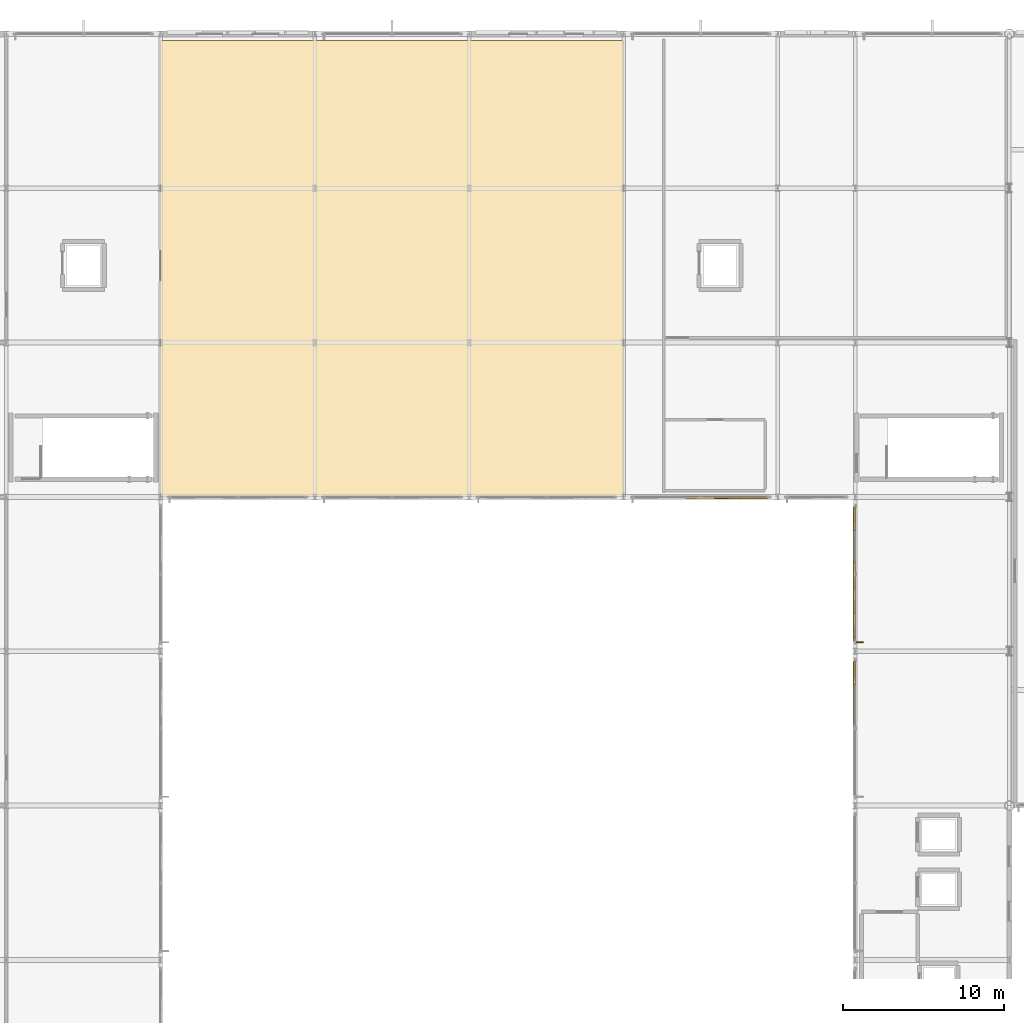
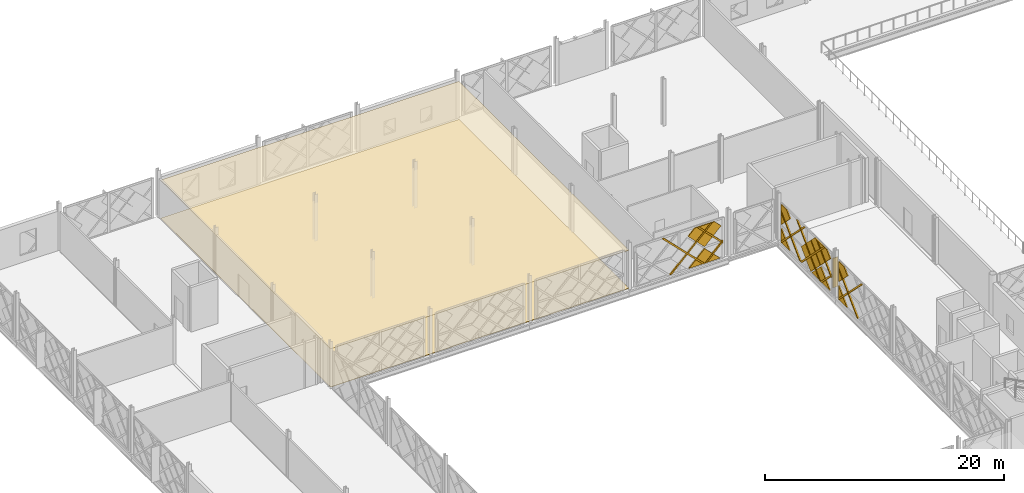
# One storey, part 67 of 77: 23 coverings, 1 shading device.
"""IFC4 building model written with IfcOpenShell, lengths in metres."""

from ifc_helpers import new_model, si_unit, direction, frame, origin, origin_2d, place, context, subcontext, project, spatial, polyline, rectangle, outline, extrude, material, layer, layer_set, type_object, element, save


model = new_model("IFC4")

# Units and contexts
model_context = context("Model", 3, precision=1e-05, world=origin(), true_north=direction((0.0, 1.0)))
body_context = subcontext(model_context, "Body", "Model", "MODEL_VIEW")
ifc_project = project(units=[si_unit("LENGTHUNIT", "METRE"), si_unit("AREAUNIT", "SQUARE_METRE"), si_unit("VOLUMEUNIT", "CUBIC_METRE"), si_unit("PLANEANGLEUNIT", "RADIAN"), si_unit("MASSUNIT", "GRAM", prefix="KILO")], contexts=[model_context])

# Site, building, storey
site_placement = place(None, origin())
site = spatial("IfcSite", under=ifc_project, at=site_placement, CompositionType="ELEMENT")
building_placement = place(site_placement, origin())
building = spatial("IfcBuilding", under=site, at=building_placement, Name="Zevrakil Square Congress Hotel", CompositionType="ELEMENT")
storey_placement = place(building_placement, frame((0.0, 0.0, 9.89990234375)))
storey = spatial("IfcBuildingStorey", under=building, at=storey_placement, Name="L03", CompositionType="ELEMENT", Elevation=9.89990234375)

# Coverings
ifc_material_1 = material(Name="Acoustic Perforated Timber Ceiling", Category="wood")
ifc_layer_1 = layer(ifc_material_1, 0.02490234375)
ifc_layer_set_1 = layer_set([ifc_layer_1], Name="Acoustic Perforated Timber Ceiling")
covering_type_1 = type_object("IfcCoveringType", Name="COV-CEIL-ACOUSTIC-025", PredefinedType="CEILING", material=ifc_layer_set_1)
covering_1_placement = place(storey_placement, frame((0.0, 0.0, 3.89013671875)))
element("IfcCovering", 1, at=covering_1_placement, inside=storey, type_object=covering_type_1, Name="L03 acoustic perforated timber ceiling 7", PredefinedType="CEILING", context=body_context, shape_type="SweptSolid", body=[
    extrude(outline(polyline([(64.800048828125, 84.0), (93.60009765625, 84.0), (93.60009765625, 112.39990234375), (64.800048828125, 112.39990234375), (64.800048828125, 84.0)])), origin(), (0.0, 0.0, 1.0), 0.02490234375),
])
ifc_material_2 = material(Name="Architectural White Fibre-C GRC", Category="concrete")
ifc_layer_2 = layer(ifc_material_2, 0.06494140625)
ifc_layer_set_2 = layer_set([ifc_layer_2], Name="Architectural White Fibre-C GRC")
covering_type_2 = type_object("IfcCoveringType", Name="COV-DIA-WHITE", PredefinedType="CLADDING", material=ifc_layer_set_2)
covering_2_placement = place(storey_placement, frame((100.840087890625, 83.906005859375, 1.590087890625), z_axis=(0.0, -0.999999790873, 0.000646725815), x_axis=(0.707106707249, -0.000457304257, -0.707106707249)))
element("IfcCovering", 2, at=covering_2_placement, inside=storey, type_object=covering_type_2, Name="L03 45-degree white GRC diamond facade cassette 1671", PredefinedType="CLADDING", context=body_context, shape_type="SweptSolid", body=[
    extrude(outline(polyline([(0.0, 0.0), (2.1354765131557993, 0.0), (4.465861884739297e-07, -2.1354765131557527), (0.0, 0.0)])), origin(), (0.0, 0.0, -1.0), 0.1201171875),
])
covering_3_placement = place(storey_placement, frame((102.429931640625, 83.906982421875, 3.360107421875), z_axis=(0.0, -0.999999775378, 0.000670257195), x_axis=(-0.707052424547, -0.000473979838, -0.707160974803)))
element("IfcCovering", 3, at=covering_3_placement, inside=storey, type_object=covering_type_2, Name="L03 45-degree white GRC diamond facade cassette 1674", PredefinedType="CLADDING", context=body_context, shape_type="SweptSolid", body=[
    extrude(outline(polyline([(0.0, 0.0), (2.2485514437172673, 0.0), (2.2483783763991094, -2.2487240639057764), (1.3361828810269825, -2.2486540733710796), (-7.024847056097405e-05, -0.9121954953522995), (0.0, 0.0)])), origin(), (0.0, 0.0, -1.0), 0.1201171875),
])
covering_4_placement = place(storey_placement, frame((107.905029296875, 72.3701171875, 0.080078125), z_axis=(-0.999999760125, 0.0, 0.000692640526), x_axis=(0.0, 1.0, 0.0)))
element("IfcCovering", 4, at=covering_4_placement, inside=storey, type_object=covering_type_2, Name="L03 45-degree white GRC diamond facade cassette 1894", PredefinedType="CLADDING", context=body_context, shape_type="SweptSolid", body=[
    extrude(outline(polyline([(0.0, 0.0), (1.409912109375, 0.0), (1.409912109375, -1.4099124475784228), (0.0, 0.0)])), origin(), (0.0, 0.0, -1.0), 0.1201171875),
])
covering_5_placement = place(storey_placement, frame((107.906982421875, 72.2900390625, 3.360107421875), z_axis=(-0.999999736408, 4.315951e-05, 0.00072479006), x_axis=(-0.00048198565, 0.70710670617, -0.707106691935)))
element("IfcCovering", 5, at=covering_5_placement, inside=storey, type_object=covering_type_2, Name="L03 45-degree white GRC diamond facade cassette 1897", PredefinedType="CLADDING", context=body_context, shape_type="SweptSolid", body=[
    extrude(outline(polyline([(0.0, 0.0), (2.107164623187832, 0.0), (0.6399520580835327, -1.4672122541428614), (-2.2701733171093252e-07, -0.8272598344501885), (0.0, 0.0)])), origin(), (0.0, 0.0, -1.0), 0.1201171875),
])
covering_6_placement = place(storey_placement, frame((107.905029296875, 81.969970703125, 0.080078125), z_axis=(-0.999999760125, 0.0, 0.000692640526), x_axis=(0.0, 1.0, 0.0)))
element("IfcCovering", 6, at=covering_6_placement, inside=storey, type_object=covering_type_2, Name="L03 45-degree white GRC diamond facade cassette 1962", PredefinedType="CLADDING", context=body_context, shape_type="SweptSolid", body=[
    extrude(outline(polyline([(0.0, 0.0), (1.409912109375, 0.0), (1.409912109375, -1.4099124475784228), (0.0, 0.0)])), origin(), (0.0, 0.0, -1.0), 0.1201171875),
])
covering_7_placement = place(storey_placement, frame((107.906005859375, 76.760009765625, 1.590087890625), z_axis=(-0.999999790873, 0.0, 0.000646725815), x_axis=(-0.000457304257, -0.707106707249, -0.707106707249)))
element("IfcCovering", 7, at=covering_7_placement, inside=storey, type_object=covering_type_2, Name="L03 45-degree white GRC diamond facade cassette 1963", PredefinedType="CLADDING", context=body_context, shape_type="SweptSolid", body=[
    extrude(outline(polyline([(0.0, 0.0), (2.1354765131557993, 0.0), (4.465861884739297e-07, -2.1354765131557527), (0.0, 0.0)])), origin(), (0.0, 0.0, -1.0), 0.1201171875),
])
covering_8_placement = place(storey_placement, frame((107.906982421875, 78.43994140625, 3.27001953125), z_axis=(-0.999999811377, 0.0, 0.000614203339), x_axis=(-0.000434307387, -0.707106714488, -0.707106714509)))
element("IfcCovering", 8, at=covering_8_placement, inside=storey, type_object=covering_type_2, Name="L03 45-degree white GRC diamond facade cassette 1964", PredefinedType="CLADDING", context=body_context, shape_type="SweptSolid", body=[
    extrude(outline(polyline([(0.0, 0.0), (2.2483788053845455, -2.220446049250313e-16), (2.2485518630206376, -2.24855143882716), (-0.00017220931434658304, -2.2485514388922905), (0.0, 0.0)])), origin(), (0.0, 0.0, -1.0), 0.1201171875),
])
covering_9_placement = place(storey_placement, frame((107.906982421875, 81.889892578125, 3.360107421875), z_axis=(-0.999999736411, 4.3161212e-05, 0.000724785724), x_axis=(-0.00048198138, 0.70710670617, -0.707106691938)))
element("IfcCovering", 9, at=covering_9_placement, inside=storey, type_object=covering_type_2, Name="L03 45-degree white GRC diamond facade cassette 1965", PredefinedType="CLADDING", context=body_context, shape_type="SweptSolid", body=[
    extrude(outline(polyline([(0.0, 0.0), (2.107164623187999, -4.440892098500626e-16), (0.6399520580834819, -1.4672122541428836), (0.00017240645599247983, -0.8274324679596092), (0.0, 0.0)])), origin(), (0.0, 0.0, -1.0), 0.1201171875),
])
covering_10_placement = place(storey_placement, frame((107.906982421875, 75.169921875, 3.360107421875), z_axis=(-0.999999757163, 0.0, 0.000696903298), x_axis=(-0.000492785094, 0.707106715719, -0.707106674942)))
element("IfcCovering", 10, at=covering_10_placement, inside=storey, type_object=covering_type_2, Name="L03 45-degree white GRC diamond facade cassette 1966", PredefinedType="CLADDING", context=body_context, shape_type="SweptSolid", body=[
    extrude(outline(polyline([(0.0, 0.0), (2.248724068485682, 0.0), (2.24872365208854, -2.2487240684856435), (1.4212911871690197, -2.248551498559155), (-2.1676503153544857e-07, -0.8272598314439772), (0.0, 0.0)])), origin(), (0.0, 0.0, -1.0), 0.1201171875),
])
ifc_material_3 = material(Name="Anodised Champagne Aluminium", Category="aluminium")
ifc_layer_3 = layer(ifc_material_3, 0.0849609375)
ifc_layer_set_3 = layer_set([ifc_layer_3], Name="Anodised Champagne Aluminium")
covering_type_3 = type_object("IfcCoveringType", Name="COV-DIAGRID-45", PredefinedType="MOLDING", material=ifc_layer_set_3)
covering_11_placement = place(storey_placement, frame((97.666015625, 83.8798828125, 0.080078125), z_axis=(0.0, -0.999999806554, 0.000622006473), x_axis=(-1.0, 0.0, 0.0)))
element("IfcCovering", 11, at=covering_11_placement, inside=storey, type_object=covering_type_3, Name="L03 45-degree aluminium diagrid rib 1676", PredefinedType="MOLDING", context=body_context, shape_type="SweptSolid", body=[
    extrude(outline(polyline([(0.0, 0.0), (0.212158203125, 0.0), (-3.712890625, -3.9250495874103186), (-3.925048828125, -3.9250495874103186), (0.0, 0.0)])), origin(), (0.0, 0.0, -1.0), 0.14501953125),
])
covering_12_placement = place(storey_placement, frame((101.026123046875, 83.8798828125, 0.080078125), z_axis=(0.000367674044, -0.999999864816, 0.000367674044), x_axis=(-0.999999932408, -0.000367674019, 1.35184e-07)))
element("IfcCovering", 12, at=covering_12_placement, inside=storey, type_object=covering_type_3, Name="L03 45-degree aluminium diagrid rib 1677", PredefinedType="MOLDING", context=body_context, shape_type="SweptSolid", body=[
    extrude(outline(polyline([(0.0, 0.0), (0.21215818878478077, 0.0), (-1.5539551831600997, -1.766113610695557), (-1.553955211840539, -1.553955421910778), (0.0, 0.0)])), origin(), (0.0, 0.0, -1.0), 0.14501953125),
])
covering_13_placement = place(storey_placement, frame((96.72900390625, 83.88232421875, 4.005126953125), z_axis=(0.0, -0.999999806554, 0.000622006473), x_axis=(1.0, 0.0, 0.0)))
element("IfcCovering", 13, at=covering_13_placement, inside=storey, type_object=covering_type_3, Name="L03 45-degree aluminium diagrid rib 1679", PredefinedType="MOLDING", context=body_context, shape_type="SweptSolid", body=[
    extrude(outline(polyline([(0.0, 0.0), (0.212158203125, 0.0), (4.13720703125, -3.9250495874103186), (3.9248046875, -3.9250495874103186), (0.0, 0.0)])), origin(), (0.0, 0.0, -1.0), 0.14501953125),
])
covering_14_placement = place(storey_placement, frame((100.0888671875, 83.88232421875, 4.005126953125), z_axis=(0.000293370907, -0.999999590264, 0.000856391117), x_axis=(0.999999956967, 0.0002933708, -2.5124e-07)))
element("IfcCovering", 14, at=covering_14_placement, inside=storey, type_object=covering_type_3, Name="L03 45-degree aluminium diagrid rib 1680", PredefinedType="MOLDING", context=body_context, shape_type="SweptSolid", body=[
    extrude(outline(polyline([(0.0, 0.0), (0.21215819399514393, 0.0), (2.4912110447048965, -2.278808803503474), (2.4912110264451837, -2.4912112784447755), (0.0, 0.0)])), origin(), (0.0, 0.0, -1.0), 0.14501953125),
])
covering_15_placement = place(storey_placement, frame((107.8798828125, 73.69384765625, 0.080078125), z_axis=(-0.999999413531, 0.000391037742, 0.001009963815), x_axis=(0.000391037543, 0.999999923545, -3.94934e-07)))
element("IfcCovering", 15, at=covering_15_placement, inside=storey, type_object=covering_type_3, Name="L03 45-degree aluminium diagrid rib 1899", PredefinedType="MOLDING", context=body_context, shape_type="SweptSolid", body=[
    extrude(outline(polyline([(0.0, 0.0), (0.08618163403596019, 4.562418066112793e-24), (0.08618167965526309, -0.12622088532393289), (-3.6528323237063276, -3.8649907289093357), (-3.8649905106107165, -3.8649907289093357), (0.0, 0.0)])), origin(), (0.0, 0.0, -1.0), 0.14501953125),
])
covering_16_placement = place(storey_placement, frame((107.8818359375, 73.780029296875, 3.154052734375), z_axis=(-0.999999562484, -0.000249090824, 0.000901656659), x_axis=(0.000901656702, -6.2046e-08, 0.999999593508)))
element("IfcCovering", 16, at=covering_16_placement, inside=storey, type_object=covering_type_3, Name="L03 45-degree aluminium diagrid rib 1902", PredefinedType="MOLDING", context=body_context, shape_type="SweptSolid", body=[
    extrude(outline(polyline([(0.0, 0.0), (0.21215833701531478, 1.3234889800848443e-23), (-3.073974916983605, -3.2861331051745672), (-3.073974930147215, -3.073974908631377), (0.0, 0.0)])), origin(), (0.0, 0.0, -1.0), 0.14501953125),
])
covering_17_placement = place(storey_placement, frame((107.8798828125, 83.2939453125, 0.080078125), z_axis=(-0.999999413235, 0.000391272362, 0.001010166072), x_axis=(0.000391272162, 0.999999923453, -3.9525e-07)))
element("IfcCovering", 17, at=covering_17_placement, inside=storey, type_object=covering_type_3, Name="L03 45-degree aluminium diagrid rib 1967", PredefinedType="MOLDING", context=body_context, shape_type="SweptSolid", body=[
    extrude(outline(polyline([(0.0, 0.0), (0.0859374934217393, 4.549493369041652e-24), (0.08593753905842463, -0.12622088534752607), (-3.6528323240199994, -3.864990728613538), (-3.8649905109049185, -3.864990728613538), (0.0, 0.0)])), origin(), (0.0, 0.0, -1.0), 0.14501953125),
])
covering_18_placement = place(storey_placement, frame((107.8798828125, 79.933837890625, 0.080078125), z_axis=(-0.999999800495, 0.0, 0.00063167191), x_axis=(0.0, 1.0, 0.0)))
element("IfcCovering", 18, at=covering_18_placement, inside=storey, type_object=covering_type_3, Name="L03 45-degree aluminium diagrid rib 1968", PredefinedType="MOLDING", context=body_context, shape_type="SweptSolid", body=[
    extrude(outline(polyline([(0.0, 0.0), (0.212158203125, 0.0), (-3.65283203125, -3.8649910054589514), (-3.864990234375, -3.8649910054589514), (0.0, 0.0)])), origin(), (0.0, 0.0, -1.0), 0.14501953125),
])
covering_19_placement = place(storey_placement, frame((107.8798828125, 76.573974609375, 0.080078125), z_axis=(-0.999999864816, -0.000367674044, 0.000367674044), x_axis=(-0.000367674019, 0.999999932408, 1.35184e-07)))
element("IfcCovering", 19, at=covering_19_placement, inside=storey, type_object=covering_type_3, Name="L03 45-degree aluminium diagrid rib 1969", PredefinedType="MOLDING", context=body_context, shape_type="SweptSolid", body=[
    extrude(outline(polyline([(0.0, 0.0), (0.21215818878478077, 0.0), (-1.5539551831600997, -1.766113610695557), (-1.553955211840539, -1.553955421910778), (0.0, 0.0)])), origin(), (0.0, 0.0, -1.0), 0.14501953125),
])
covering_20_placement = place(storey_placement, frame((107.8818359375, 83.3798828125, 3.154052734375), z_axis=(-0.999999562491, -0.000249100386, 0.000901647097), x_axis=(0.00090164714, -6.2051e-08, 0.999999593516)))
element("IfcCovering", 20, at=covering_20_placement, inside=storey, type_object=covering_type_3, Name="L03 45-degree aluminium diagrid rib 1970", PredefinedType="MOLDING", context=body_context, shape_type="SweptSolid", body=[
    extrude(outline(polyline([(0.0, 0.0), (0.21215833701480946, 1.3234889800848443e-23), (-3.0739749169909265, -3.285888964564464), (-3.0739749301555475, -3.0737307680217794), (0.0, 0.0)])), origin(), (0.0, 0.0, -1.0), 0.14501953125),
])
covering_21_placement = place(storey_placement, frame((107.88232421875, 80.81103515625, 3.945068359375), z_axis=(-0.999999800495, 0.0, 0.00063167191), x_axis=(0.0, -1.0, 0.0)))
element("IfcCovering", 21, at=covering_21_placement, inside=storey, type_object=covering_type_3, Name="L03 45-degree aluminium diagrid rib 1971", PredefinedType="MOLDING", context=body_context, shape_type="SweptSolid", body=[
    extrude(outline(polyline([(0.0, 0.0), (0.212158203125, 0.0), (4.0771484375, -3.8649910054589514), (3.864990234375, -3.8649910054589514), (0.0, 0.0)])), origin(), (0.0, 0.0, -1.0), 0.14501953125),
])
covering_22_placement = place(storey_placement, frame((107.88232421875, 77.451171875, 3.945068359375), z_axis=(-0.999999586122, -0.000286094891, 0.000863658765), x_axis=(0.000286094785, -0.999999959075, -2.47088e-07)))
element("IfcCovering", 22, at=covering_22_placement, inside=storey, type_object=covering_type_3, Name="L03 45-degree aluminium diagrid rib 1972", PredefinedType="MOLDING", context=body_context, shape_type="SweptSolid", body=[
    extrude(outline(polyline([(0.0, 0.0), (0.21215819444239495, 0.0), (2.4311524432452645, -2.218750226780793), (2.431152425880054, -2.4311527021688306), (0.0, 0.0)])), origin(), (0.0, 0.0, -1.0), 0.14501953125),
])
ifc_material_4 = material(Name="Honed Addis Basalt Stone Flooring", Category="masonry")
ifc_layer_4 = layer(ifc_material_4, 0.030029296875)
ifc_layer_set_4 = layer_set([ifc_layer_4], Name="Honed Addis Basalt Stone Flooring")
covering_type_4 = type_object("IfcCoveringType", Name="COV-FLOR-BASALT-030", PredefinedType="FLOORING", material=ifc_layer_set_4)
covering_23_placement = place(storey_placement, origin())
element("IfcCovering", 23, at=covering_23_placement, inside=storey, type_object=covering_type_4, Name="L03 honed basalt stone flooring 7", PredefinedType="FLOORING", context=body_context, shape_type="SweptSolid", body=[
    extrude(outline(polyline([(64.800048828125, 84.0), (93.60009765625, 84.0), (93.60009765625, 112.39990234375), (64.800048828125, 112.39990234375), (64.800048828125, 84.0)])), origin(), (0.0, 0.0, 1.0), 0.030029296875),
])

# Shading device
ifc_material_5 = material(Name="Aluminium Anodised Bronze", Category="aluminium")
shading_device_type = type_object("IfcShadingDeviceType", Name="SHD-FIN-50", PredefinedType="JALOUSIE", material=ifc_material_5)
shading_device_placement = place(storey_placement, frame((108.27001953125, 74.9599609375, 0.5126953125), z_axis=(0.0, 0.0, 1.0), x_axis=(1.0, 0.0, 0.0)))
element("IfcShadingDevice", 24, at=shading_device_placement, inside=storey, type_object=shading_device_type, Name="L03 aluminium solar shading fin 111", PredefinedType="JALOUSIE", context=body_context, shape_type="SweptSolid", body=[
    extrude(rectangle(XDim=0.5, YDim=0.080078125, at=origin_2d()), origin(), (0.0, 0.0, 1.0), 3.0),
])

save(model, "model.ifc")
